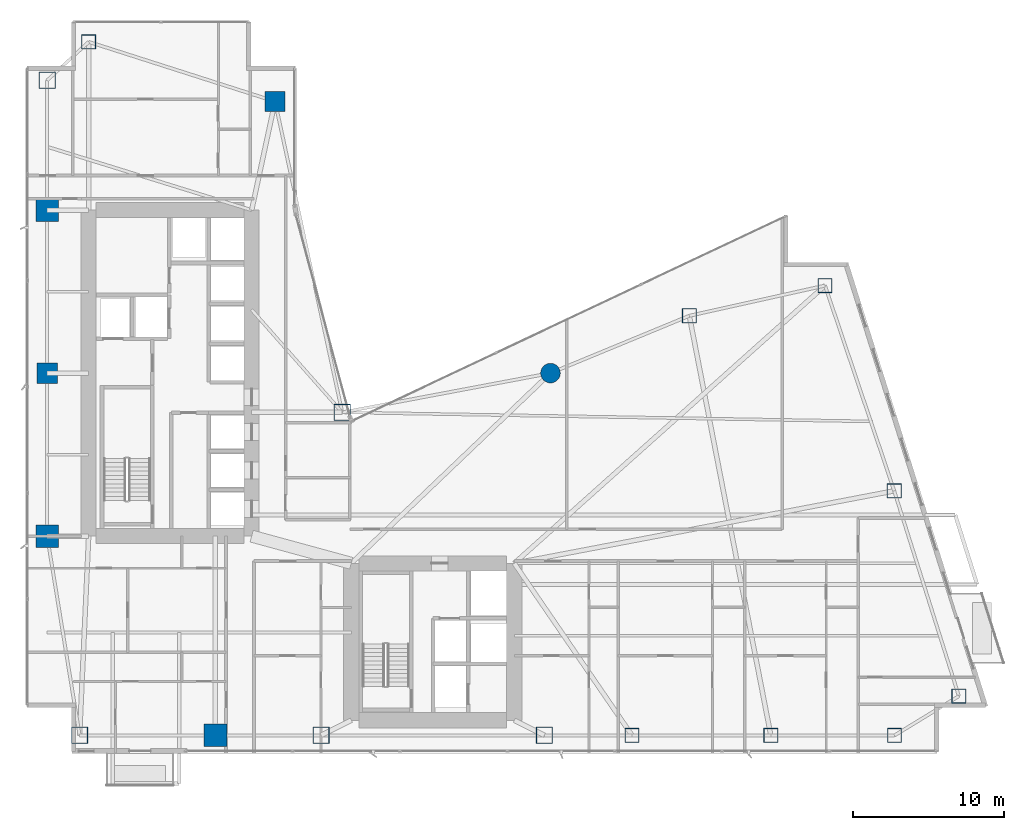
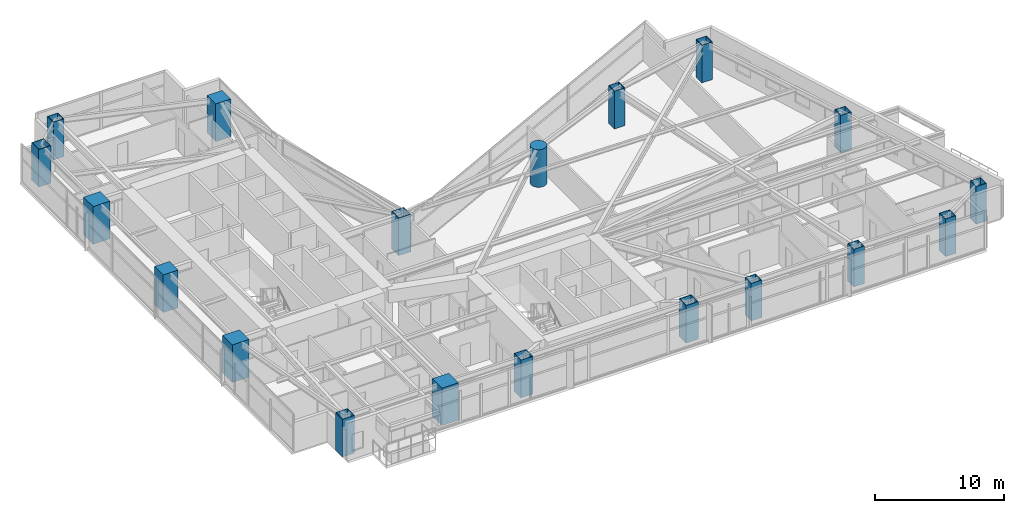
# One storey, part 1 of 30: 19 columns.
"""IFC4 building model written with IfcOpenShell, lengths in metres."""

from ifc_helpers import new_model, si_unit, direction, frame, origin, origin_2d, place, context, subcontext, project, spatial, rectangle, hollow_rectangle, circle, extrude, material, material_profile, profile_set, type_object, element, save


model = new_model("IFC4")

# Units and contexts
model_context = context("Model", 3, precision=1e-05, world=origin(), true_north=direction((0.0, 1.0)))
body_context = subcontext(model_context, "Body", "Model", "MODEL_VIEW")
ifc_project = project(units=[si_unit("LENGTHUNIT", "METRE"), si_unit("AREAUNIT", "SQUARE_METRE"), si_unit("VOLUMEUNIT", "CUBIC_METRE"), si_unit("PLANEANGLEUNIT", "RADIAN"), si_unit("MASSUNIT", "GRAM", prefix="KILO")], contexts=[model_context])

# Site, building, storey
site_placement = place(None, origin())
site = spatial("IfcSite", under=ifc_project, at=site_placement, CompositionType="ELEMENT")
building_placement = place(site_placement, origin())
building = spatial("IfcBuilding", under=site, at=building_placement, Name="Calvorn Quay Hotel", CompositionType="ELEMENT")
storey_placement = place(building_placement, frame((0.0, 0.0, 30.800048828125)))
storey = spatial("IfcBuildingStorey", under=building, at=storey_placement, Name="L06", CompositionType="ELEMENT", Elevation=30.800048828125)

# Columns
ifc_material_1 = material(Name="Concrete C60", Category="concrete")
ifc_material_profile_1 = material_profile(ifc_material_1, rectangle(XDim=1.35009765625, YDim=1.35009765625, at=origin_2d()), Name="RC1350x1350")
ifc_profile_set_1 = profile_set([ifc_material_profile_1], Name="Concrete C60")
column_type_1 = type_object("IfcColumnType", Name="COL-RC-1350", PredefinedType="COLUMN", material=ifc_profile_set_1)
for number, where, z_axis, x_axis, name in (
    (1, (1.449951171875, 27.60009765625, 0.0), (0.0, 0.0, 1.0), (1.0, 0.0, 0.0), "Column C-W3 (L06)"),
    (2, (16.550048828125, 45.60009765625, 0.0), (0.0, 0.0, 1.0), (1.0, 0.0, 0.0), "Column C-IC1 (L06)"),
):
    element("IfcColumn", number, at=place(storey_placement, frame(where, z_axis=z_axis, x_axis=x_axis)), inside=storey, type_object=column_type_1, Name=name, PredefinedType="COLUMN", context=body_context, shape_type="SweptSolid", body=[
        extrude(rectangle(XDim=1.35009765625, YDim=1.35009765625, at=origin_2d()), origin(), (0.0, 0.0, 1.0), 3.56005859375),
    ])
ifc_material_2 = material(Name="Concrete C60", Category="concrete")
ifc_material_profile_2 = material_profile(ifc_material_2, rectangle(XDim=1.5, YDim=1.5, at=origin_2d()), Name="RC1500x1500")
ifc_profile_set_2 = profile_set([ifc_material_profile_2], Name="Concrete C60")
column_type_2 = type_object("IfcColumnType", Name="COL-RC-1500", PredefinedType="COLUMN", material=ifc_profile_set_2)
for number, where, z_axis, x_axis, name in (
    (3, (1.449951171875, 16.800048828125, 0.0), (0.0, 0.0, 1.0), (1.0, 0.0, 0.0), "Column C-W2 (L06)"),
    (4, (1.449951171875, 38.39990234375, 0.0), (0.0, 0.0, 1.0), (1.0, 0.0, 0.0), "Column C-W4 (L06)"),
    (5, (12.60009765625, 3.60009765625, 0.0), (0.0, 0.0, 1.0), (1.0, 0.0, 0.0), "Column C-S1 (L06)"),
):
    element("IfcColumn", number, at=place(storey_placement, frame(where, z_axis=z_axis, x_axis=x_axis)), inside=storey, type_object=column_type_2, Name=name, PredefinedType="COLUMN", context=body_context, shape_type="SweptSolid", body=[
        extrude(rectangle(XDim=1.5, YDim=1.5, at=origin_2d()), origin(), (0.0, 0.0, 1.0), 3.56005859375),
    ])
ifc_material_3 = material(Name="Concrete C60", Category="concrete")
ifc_material_profile_3 = material_profile(ifc_material_3, circle(Radius=0.64990234375, at=origin_2d()), Name="RCD1300")
ifc_profile_set_3 = profile_set([ifc_material_profile_3], Name="Concrete C60")
column_type_3 = type_object("IfcColumnType", Name="COL-RC-D1300", PredefinedType="COLUMN", material=ifc_profile_set_3)
column_placement = place(storey_placement, frame((34.800048828125, 27.60009765625, 0.0), z_axis=(0.0, 0.0, 1.0), x_axis=(1.0, 0.0, 0.0)))
element("IfcColumn", 6, at=column_placement, inside=storey, type_object=column_type_3, Name="Column C-NC1 (L06)", PredefinedType="COLUMN", context=body_context, shape_type="SweptSolid", body=[
    extrude(circle(Radius=0.64990234375, at=origin_2d()), origin(), (0.0, 0.0, 1.0), 3.56005859375),
])
ifc_material_4 = material(Name="Steel Q420GJC", Category="steel")
ifc_material_profile_4 = material_profile(ifc_material_4, hollow_rectangle(XDim=1.10009765625, YDim=1.10009765625, WallThickness=0.044921875, at=origin_2d()), Name="BOX1100x1100x45")
ifc_profile_set_4 = profile_set([ifc_material_profile_4], Name="Steel Q420GJC")
column_type_4 = type_object("IfcColumnType", Name="COL-STL-MEGA1", PredefinedType="COLUMN", material=ifc_profile_set_4)
for number, where, z_axis, x_axis, name in (
    (7, (3.60009765625, 3.60009765625, 0.0), (0.0, 0.0, 1.0), (1.0, 0.0, 0.0), "Column C-W1 (L06)"),
    (8, (1.449951171875, 47.0, 0.0), (0.0, 0.0, 1.0), (1.0, 0.0, 0.0), "Column C-W5 (L06)"),
    (9, (21.0, 25.0, 0.0), (0.0, 0.0, 1.0), (1.0, 0.0, 0.0), "Column C-IC2 (L06)"),
    (10, (19.60009765625, 3.60009765625, 0.0), (0.0, 0.0, 1.0), (1.0, 0.0, 0.0), "Column C-S2 (L06)"),
    (11, (34.39990234375, 3.60009765625, 0.0), (0.0, 0.0, 1.0), (1.0, 0.0, 0.0), "Column C-S3 (L06)"),
):
    element("IfcColumn", number, at=place(storey_placement, frame(where, z_axis=z_axis, x_axis=x_axis)), inside=storey, type_object=column_type_4, Name=name, PredefinedType="COLUMN", context=body_context, shape_type="SweptSolid", body=[
        extrude(hollow_rectangle(XDim=1.10009765625, YDim=1.10009765625, WallThickness=0.044921875, at=origin_2d()), origin(), (0.0, 0.0, 1.0), 3.56005859375),
    ])
ifc_material_5 = material(Name="Steel Q420GJC", Category="steel")
ifc_material_profile_5 = material_profile(ifc_material_5, hollow_rectangle(XDim=0.949951171875, YDim=0.949951171875, WallThickness=0.0400390625, at=origin_2d()), Name="BOX950x950x40")
ifc_profile_set_5 = profile_set([ifc_material_profile_5], Name="Steel Q420GJC")
column_type_5 = type_object("IfcColumnType", Name="COL-STL-MEGA2", PredefinedType="COLUMN", material=ifc_profile_set_5)
for number, where, z_axis, x_axis, name in (
    (12, (4.199951171875, 49.550048828125, 0.0), (0.0, 0.0, 1.0), (1.0, 0.0, 0.0), "Column C-NW1 (L06)"),
    (13, (40.199951171875, 3.60009765625, 0.0), (0.0, 0.0, 1.0), (1.0, 0.0, 0.0), "Column C-S4 (L06)"),
    (14, (49.39990234375, 3.60009765625, 0.0), (0.0, 0.0, 1.0), (1.0, 0.0, 0.0), "Column C-S5 (L06)"),
    (15, (57.60009765625, 3.60009765625, 0.0), (0.0, 0.0, 1.0), (1.0, 0.0, 0.0), "Column C-S6 (L06)"),
    (16, (44.0, 31.39990234375, 0.0), (0.0, 0.0, 1.0), (1.0, 0.0, 0.0), "Column C-NC2 (L06)"),
    (17, (61.861083984375, 6.199951171875, 0.0), (0.0, 0.0, 1.0), (1.0, 0.0, 0.0), "Column C-ET1 (L06)"),
    (18, (57.575927734375, 19.800048828125, 0.0), (0.0, 0.0, 1.0), (1.0, 0.0, 0.0), "Column C-ET2 (L06)"),
    (19, (52.990966796875, 33.39990234375, 0.0), (0.0, 0.0, 1.0), (1.0, 0.0, 0.0), "Column C-ET3 (L06)"),
):
    element("IfcColumn", number, at=place(storey_placement, frame(where, z_axis=z_axis, x_axis=x_axis)), inside=storey, type_object=column_type_5, Name=name, PredefinedType="COLUMN", context=body_context, shape_type="SweptSolid", body=[
        extrude(hollow_rectangle(XDim=0.949951171875, YDim=0.949951171875, WallThickness=0.0400390625, at=origin_2d()), origin(), (0.0, 0.0, 1.0), 3.56005859375),
    ])

save(model, "model.ifc")
